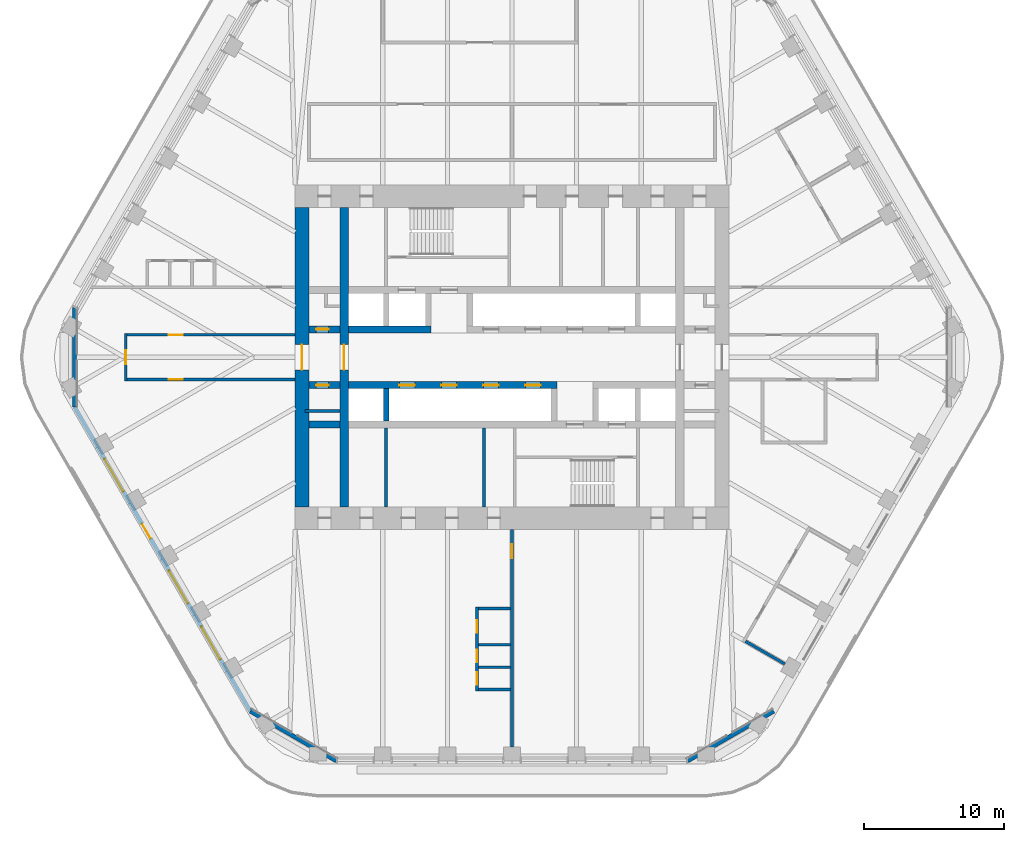
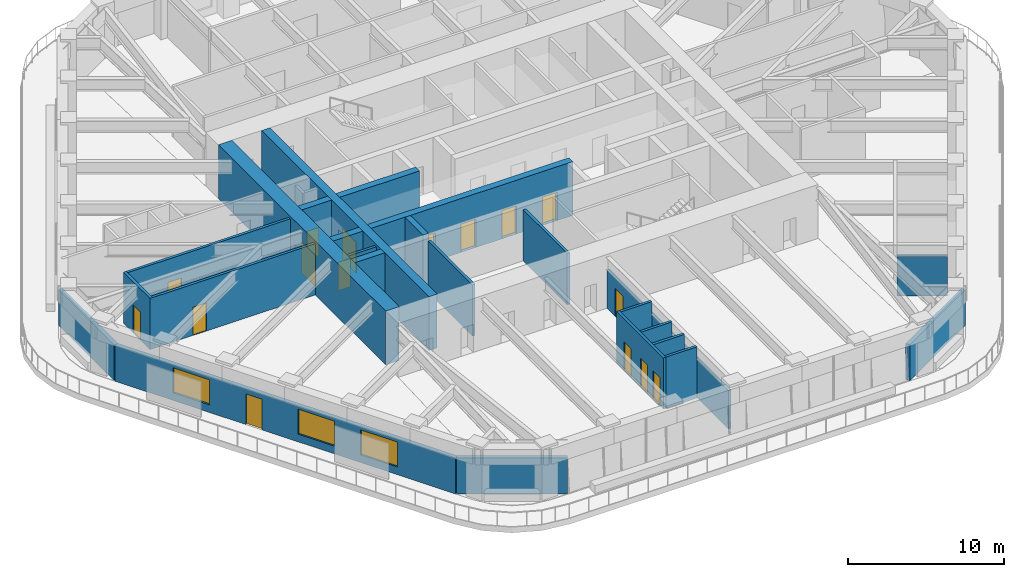
# One storey, part 14 of 20: 25 walls, 16 doors, 3 windows, 19 openings.
"""IFC4 building model written with IfcOpenShell, lengths in metres."""

from ifc_helpers import new_model, si_unit, direction, frame, frame_2d, origin, place, context, subcontext, project, spatial, rectangle, extrude, material, layer, layer_set, type_object, element, fill, save


model = new_model("IFC4")

# Units and contexts
model_context = context("Model", 3, precision=1e-05, world=origin(), true_north=direction((0.0, 1.0)))
body_context = subcontext(model_context, "Body", "Model", "MODEL_VIEW")
ifc_project = project(units=[si_unit("LENGTHUNIT", "METRE"), si_unit("AREAUNIT", "SQUARE_METRE"), si_unit("VOLUMEUNIT", "CUBIC_METRE"), si_unit("PLANEANGLEUNIT", "RADIAN"), si_unit("MASSUNIT", "GRAM", prefix="KILO")], contexts=[model_context])

# Site, building, storey
site_placement = place(None, origin())
site = spatial("IfcSite", under=ifc_project, at=site_placement, CompositionType="ELEMENT")
building_placement = place(site_placement, origin())
building = spatial("IfcBuilding", under=site, at=building_placement, Name="Tarfa Lantern Tower", CompositionType="ELEMENT")
storey_placement = place(building_placement, frame((0.0, 0.0, 270.10009765625)))
storey = spatial("IfcBuildingStorey", under=building, at=storey_placement, Name="L61", CompositionType="ELEMENT", Elevation=270.10009765625)

# Walls
ifc_material_1 = material(Name="Limestone cladding on blockwork", Category="masonry")
ifc_layer_1 = layer(ifc_material_1, 0.300048828125)
ifc_layer_set_1 = layer_set([ifc_layer_1], Name="EW1 STONE-CLAD WALL 300")
wall_type_1 = type_object("IfcWallType", Name="EW1 STONE-CLAD WALL 300", PredefinedType="SOLIDWALL", material=ifc_layer_set_1)
wall_1_placement = place(storey_placement, frame((-31.262939453125, 3.55078125, 0.0), z_axis=(0.0, 0.0, 1.0), x_axis=(0.0, -1.0, 0.0)))
element("IfcWall", 1, at=wall_1_placement, inside=storey, type_object=wall_type_1, Name="Garden wall NW-SW", PredefinedType="SOLIDWALL", context=body_context, shape_type="SweptSolid", body=[
    extrude(rectangle(XDim=7.1015625, YDim=0.300048828125, at=frame_2d((3.55078125, 0.0))), origin(), (0.0, 0.0, 1.0), 2.7998046875),
])
for number, where, z_axis, x_axis, name in (
    (2, (-18.70654296875, -25.299072265625, 0.0), (0.0, 0.0, 1.0), (0.866010973379, -0.500024993363, 0.0), "Garden wall SW-S"),
    (3, (12.556396484375, -28.85009765625, 0.0), (0.0, 0.0, 1.0), (0.866010973379, 0.500024993363, 0.0), "Garden wall S-SE"),
):
    element("IfcWall", number, at=place(storey_placement, frame(where, z_axis=z_axis, x_axis=x_axis)), inside=storey, type_object=wall_type_1, Name=name, PredefinedType="SOLIDWALL", context=body_context, shape_type="SweptSolid", body=[
        extrude(rectangle(XDim=7.101806640625, YDim=0.300048828125, at=frame_2d((3.55078125, 0.0))), origin(), (0.0, 0.0, 1.0), 2.7998046875),
    ])

# Wall, openings, door, windows
wall_2_placement = place(storey_placement, frame((-31.262939453125, -3.55078125, 0.0), z_axis=(0.0, 0.0, 1.0), x_axis=(0.500000442367, -0.866025148383, 0.0)))
wall_2 = element("IfcWall", 4, at=wall_2_placement, inside=storey, type_object=wall_type_1, Name="Stone wall SW", PredefinedType="SOLIDWALL", context=body_context, shape_type="SweptSolid", body=[
    extrude(rectangle(XDim=25.11279296875, YDim=0.300048828125, at=frame_2d((12.556396484375, 0.0))), origin(), (0.0, 0.0, 1.0), 2.7998046875),
])
opening_1_placement = place(wall_2_placement, frame((4.2783203125, 0.0, 0.60009765625)))
opening_1 = element("IfcOpeningElement", 5, at=opening_1_placement, cuts=wall_2, Name="Opening W14", PredefinedType="OPENING", context=body_context, shape_type="SweptSolid", body=[
    extrude(rectangle(XDim=2.699951171875, YDim=1.949951171875, at=frame_2d((1.35009765625, 0.97509765625))), frame((0.0, 0.159912109375, 0.0), z_axis=(0.0, -1.0, 0.0), x_axis=(1.0, 0.0, 0.0)), (0.0, 0.0, 1.0), 0.320068359375),
])
opening_2_placement = place(wall_2_placement, frame((9.64697265625, 0.0, 0.0)))
opening_2 = element("IfcOpeningElement", 6, at=opening_2_placement, cuts=wall_2, Name="Opening D52", PredefinedType="OPENING", context=body_context, shape_type="SweptSolid", body=[
    extrude(rectangle(XDim=1.199951171875, YDim=2.39990234375, at=frame_2d((0.60009765625, 1.199951171875))), frame((0.0, 0.159912109375, 0.0), z_axis=(0.0, -1.0, 0.0), x_axis=(1.0, 0.0, 0.0)), (0.0, 0.0, 1.0), 0.320068359375),
])
opening_3_placement = place(wall_2_placement, frame((13.515869140625, 0.0, 0.60009765625)))
opening_3 = element("IfcOpeningElement", 7, at=opening_3_placement, cuts=wall_2, Name="Opening W14", PredefinedType="OPENING", context=body_context, shape_type="SweptSolid", body=[
    extrude(rectangle(XDim=2.699951171875, YDim=1.949951171875, at=frame_2d((1.35009765625, 0.97509765625))), frame((0.0, 0.159912109375, 0.0), z_axis=(0.0, -1.0, 0.0), x_axis=(1.0, 0.0, 0.0)), (0.0, 0.0, 1.0), 0.320068359375),
])
opening_4_placement = place(wall_2_placement, frame((18.134521484375, 0.0, 0.60009765625)))
opening_4 = element("IfcOpeningElement", 8, at=opening_4_placement, cuts=wall_2, Name="Opening W14", PredefinedType="OPENING", context=body_context, shape_type="SweptSolid", body=[
    extrude(rectangle(XDim=2.699951171875, YDim=1.949951171875, at=frame_2d((1.35009765625, 0.97509765625))), frame((0.0, 0.159912109375, 0.0), z_axis=(0.0, -1.0, 0.0), x_axis=(1.0, 0.0, 0.0)), (0.0, 0.0, 1.0), 0.320068359375),
])
ifc_material_2 = material(Name="Aluminium framed glazed door", Category="aluminium")
door_type_1 = type_object("IfcDoorType", Name="BE3 BALCONY DOOR 1200x2400", OperationType="SINGLE_SWING_RIGHT", PredefinedType="DOOR", material=ifc_material_2)
door_1_placement = place(opening_2_placement, origin())
door_1 = element("IfcDoor", 9, at=door_1_placement, inside=storey, type_object=door_type_1, Name="Balcony door SW", OperationType="SINGLE_SWING_RIGHT", OverallHeight=2.39990234375, OverallWidth=1.199951171875, PredefinedType="DOOR", context=body_context, shape_type="SweptSolid", body=[
    extrude(rectangle(XDim=1.199951171875, YDim=2.39990234375, at=frame_2d((0.60009765625, 1.199951171875))), frame((0.0, 0.02490234375, 0.0), z_axis=(0.0, -1.0, 0.0), x_axis=(1.0, 0.0, 0.0)), (0.0, 0.0, 1.0), 0.050048828125),
])
fill(opening_2, door_1)
ifc_material_3 = material(Name="Aluminium frame, double glazed", Category="aluminium")
window_type = type_object("IfcWindowType", Name="W14 FULL-HEIGHT GLAZING 2700x1950", PartitioningType="SINGLE_PANEL", PredefinedType="WINDOW", material=ifc_material_3)
window_1_placement = place(opening_1_placement, origin())
window_1 = element("IfcWindow", 10, at=window_1_placement, inside=storey, type_object=window_type, Name="Window SW 2", OverallHeight=1.949951171875, OverallWidth=2.699951171875, PartitioningType="SINGLE_PANEL", PredefinedType="WINDOW", context=body_context, shape_type="SweptSolid", body=[
    extrude(rectangle(XDim=2.699951171875, YDim=1.949951171875, at=frame_2d((1.35009765625, 0.97509765625))), frame((0.0, 0.030029296875, 0.0), z_axis=(0.0, -1.0, 0.0), x_axis=(1.0, 0.0, 0.0)), (0.0, 0.0, 1.0), 0.06005859375),
])
fill(opening_1, window_1)
window_2_placement = place(opening_3_placement, origin())
window_2 = element("IfcWindow", 11, at=window_2_placement, inside=storey, type_object=window_type, Name="Window SW 4", OverallHeight=1.949951171875, OverallWidth=2.699951171875, PartitioningType="SINGLE_PANEL", PredefinedType="WINDOW", context=body_context, shape_type="SweptSolid", body=[
    extrude(rectangle(XDim=2.699951171875, YDim=1.949951171875, at=frame_2d((1.35009765625, 0.97509765625))), frame((0.0, 0.030029296875, 0.0), z_axis=(0.0, -1.0, 0.0), x_axis=(1.0, 0.0, 0.0)), (0.0, 0.0, 1.0), 0.06005859375),
])
fill(opening_3, window_2)
window_3_placement = place(opening_4_placement, origin())
window_3 = element("IfcWindow", 12, at=window_3_placement, inside=storey, type_object=window_type, Name="Window SW 5", OverallHeight=1.949951171875, OverallWidth=2.699951171875, PartitioningType="SINGLE_PANEL", PredefinedType="WINDOW", context=body_context, shape_type="SweptSolid", body=[
    extrude(rectangle(XDim=2.699951171875, YDim=1.949951171875, at=frame_2d((1.35009765625, 0.97509765625))), frame((0.0, 0.030029296875, 0.0), z_axis=(0.0, -1.0, 0.0), x_axis=(1.0, 0.0, 0.0)), (0.0, 0.0, 1.0), 0.06005859375),
])
fill(opening_4, window_3)

# Walls
ifc_material_4 = material(Name="Concrete blockwork", Category="masonry")
ifc_layer_2 = layer(ifc_material_4, 0.199951171875)
ifc_layer_set_2 = layer_set([ifc_layer_2], Name="IW1 BLOCKWORK PARTITION 200 EI 120")
wall_type_2 = type_object("IfcWallType", Name="IW1 BLOCKWORK PARTITION 200 EI 120", PredefinedType="PARTITIONING", material=ifc_layer_set_2)
for number, where, z_axis, x_axis, name in (
    (13, (-9.0, -5.050048828125, 0.0), (0.0, 0.0, 1.0), (0.0, -1.0, 0.0), "Core partition"),
    (14, (-2.0, -5.050048828125, 0.0), (0.0, 0.0, 1.0), (0.0, -1.0, 0.0), "Core partition"),
):
    element("IfcWall", number, at=place(storey_placement, frame(where, z_axis=z_axis, x_axis=x_axis)), inside=storey, type_object=wall_type_2, Name=name, PredefinedType="PARTITIONING", context=body_context, shape_type="SweptSolid", body=[
        extrude(rectangle(XDim=5.64990234375, YDim=0.199951171875, at=frame_2d((2.824951171875, 0.0))), origin(), (0.0, 0.0, 1.0), 4.0),
    ])
wall_3_placement = place(storey_placement, frame((-12.300048828125, -3.85009765625, 0.0), z_axis=(0.0, 0.0, 1.0), x_axis=(-1.0, 0.0, 0.0)))
element("IfcWall", 15, at=wall_3_placement, inside=storey, type_object=wall_type_2, Name="Core partition", PredefinedType="PARTITIONING", context=body_context, shape_type="SweptSolid", body=[
    extrude(rectangle(XDim=2.5, YDim=0.199951171875, at=frame_2d((1.25, 0.0))), origin(), (0.0, 0.0, 1.0), 4.0),
])
ifc_material_5 = material(Name="Gypsum board on steel studs", Category="steel")
ifc_layer_3 = layer(ifc_material_5, 0.2099609375)
ifc_layer_set_3 = layer_set([ifc_layer_3], Name="IW2 ACOUSTIC PARTITION 200")
wall_type_3 = type_object("IfcWallType", Name="IW2 ACOUSTIC PARTITION 200", PredefinedType="PARTITIONING", material=ifc_layer_set_3)
wall_4_placement = place(storey_placement, frame((16.685302734375, -20.300048828125, 0.0), z_axis=(0.0, 0.0, 1.0), x_axis=(0.866034226713, -0.499984717929, 0.0)))
element("IfcWall", 16, at=wall_4_placement, inside=storey, type_object=wall_type_3, Name="Partition", PredefinedType="PARTITIONING", context=body_context, shape_type="SweptSolid", body=[
    extrude(rectangle(XDim=3.25, YDim=0.199951171875, at=frame_2d((1.625, 0.0))), origin(), (0.0, 0.0, 1.0), 3.08154296875),
])

# Wall, opening, door
wall_5_placement = place(storey_placement, frame((-15.5, 1.60009765625, 0.0), z_axis=(0.0, 0.0, 1.0), x_axis=(-1.0, 0.0, 0.0)))
wall_5 = element("IfcWall", 17, at=wall_5_placement, inside=storey, type_object=wall_type_3, Name="Partition", PredefinedType="PARTITIONING", context=body_context, shape_type="SweptSolid", body=[
    extrude(rectangle(XDim=12.199951171875, YDim=0.199951171875, at=frame_2d((6.10009765625, 0.0))), origin(), (0.0, 0.0, 1.0), 4.0),
])
opening_5_placement = place(wall_5_placement, frame((8.0400390625, 0.0, 0.0)))
opening_5 = element("IfcOpeningElement", 18, at=opening_5_placement, cuts=wall_5, Name="Opening D45", PredefinedType="OPENING", context=body_context, shape_type="SweptSolid", body=[
    extrude(rectangle(XDim=1.0, YDim=2.199951171875, at=frame_2d((0.5, 1.10009765625))), frame((0.0, 0.10986328125, 0.0), z_axis=(0.0, -1.0, 0.0), x_axis=(1.0, 0.0, 0.0)), (0.0, 0.0, 1.0), 0.219970703125),
])
ifc_material_6 = material(Name="Timber door", Category="wood")
door_type_2 = type_object("IfcDoorType", Name="DR1 ROOM DOOR 1000x2200", OperationType="SINGLE_SWING_LEFT", PredefinedType="DOOR", material=ifc_material_6)
door_2_placement = place(opening_5_placement, frame((1.0, 0.0, 0.0), z_axis=(0.0, 0.0, 1.0), x_axis=(-1.0, 0.0, 0.0)))
door_2 = element("IfcDoor", 19, at=door_2_placement, inside=storey, type_object=door_type_2, Name="Corridor door", OperationType="SINGLE_SWING_RIGHT", OverallHeight=2.199951171875, OverallWidth=1.0, PredefinedType="DOOR", context=body_context, shape_type="SweptSolid", body=[
    extrude(rectangle(XDim=1.0, YDim=2.199951171875, at=frame_2d((0.5, 1.10009765625))), frame((0.0, 0.02490234375, 0.0), z_axis=(0.0, -1.0, 0.0), x_axis=(1.0, 0.0, 0.0)), (0.0, 0.0, 1.0), 0.050048828125),
])
fill(opening_5, door_2)

wall_6_placement = place(storey_placement, frame((-15.5, -1.60009765625, 0.0), z_axis=(0.0, 0.0, 1.0), x_axis=(-1.0, 0.0, 0.0)))
wall_6 = element("IfcWall", 20, at=wall_6_placement, inside=storey, type_object=wall_type_3, Name="Partition", PredefinedType="PARTITIONING", context=body_context, shape_type="SweptSolid", body=[
    extrude(rectangle(XDim=12.199951171875, YDim=0.199951171875, at=frame_2d((6.10009765625, 0.0))), origin(), (0.0, 0.0, 1.0), 4.0),
])
opening_6_placement = place(wall_6_placement, frame((8.0400390625, 0.0, 0.0)))
opening_6 = element("IfcOpeningElement", 21, at=opening_6_placement, cuts=wall_6, Name="Opening D46", PredefinedType="OPENING", context=body_context, shape_type="SweptSolid", body=[
    extrude(rectangle(XDim=1.0, YDim=2.199951171875, at=frame_2d((0.5, 1.10009765625))), frame((0.0, 0.10986328125, 0.0), z_axis=(0.0, -1.0, 0.0), x_axis=(1.0, 0.0, 0.0)), (0.0, 0.0, 1.0), 0.219970703125),
])
door_3_placement = place(opening_6_placement, origin())
door_3 = element("IfcDoor", 22, at=door_3_placement, inside=storey, type_object=door_type_2, Name="Corridor door", OperationType="SINGLE_SWING_LEFT", OverallHeight=2.199951171875, OverallWidth=1.0, PredefinedType="DOOR", context=body_context, shape_type="SweptSolid", body=[
    extrude(rectangle(XDim=1.0, YDim=2.199951171875, at=frame_2d((0.5, 1.10009765625))), frame((0.0, 0.02490234375, 0.0), z_axis=(0.0, -1.0, 0.0), x_axis=(1.0, 0.0, 0.0)), (0.0, 0.0, 1.0), 0.050048828125),
])
fill(opening_6, door_3)

wall_7_placement = place(storey_placement, frame((-27.60009765625, -1.699951171875, 0.0), z_axis=(0.0, 0.0, 1.0), x_axis=(0.0, 1.0, 0.0)))
wall_7 = element("IfcWall", 23, at=wall_7_placement, inside=storey, type_object=wall_type_3, Name="Partition", PredefinedType="PARTITIONING", context=body_context, shape_type="SweptSolid", body=[
    extrude(rectangle(XDim=3.39990234375, YDim=0.199951171875, at=frame_2d((1.699951171875, 0.0))), origin(), (0.0, 0.0, 1.0), 4.0),
])
opening_7_placement = place(wall_7_placement, frame((1.199951171875, 0.0, 0.0)))
opening_7 = element("IfcOpeningElement", 24, at=opening_7_placement, cuts=wall_7, Name="Opening D44", PredefinedType="OPENING", context=body_context, shape_type="SweptSolid", body=[
    extrude(rectangle(XDim=1.0, YDim=2.199951171875, at=frame_2d((0.5, 1.10009765625))), frame((0.0, 0.10986328125, 0.0), z_axis=(0.0, -1.0, 0.0), x_axis=(1.0, 0.0, 0.0)), (0.0, 0.0, 1.0), 0.219970703125),
])
door_4_placement = place(opening_7_placement, origin())
door_4 = element("IfcDoor", 25, at=door_4_placement, inside=storey, type_object=door_type_2, Name="Corridor door", OperationType="SINGLE_SWING_RIGHT", OverallHeight=2.199951171875, OverallWidth=1.0, PredefinedType="DOOR", context=body_context, shape_type="SweptSolid", body=[
    extrude(rectangle(XDim=1.0, YDim=2.199951171875, at=frame_2d((0.5, 1.10009765625))), frame((0.0, 0.02490234375, 0.0), z_axis=(0.0, -1.0, 0.0), x_axis=(1.0, 0.0, 0.0)), (0.0, 0.0, 1.0), 0.050048828125),
])
fill(opening_7, door_4)

wall_8_placement = place(storey_placement, frame((0.0, -12.300048828125, 0.0), z_axis=(0.0, 0.0, 1.0), x_axis=(0.0, -1.0, 0.0)))
wall_8 = element("IfcWall", 26, at=wall_8_placement, inside=storey, type_object=wall_type_3, Name="Partition", PredefinedType="PARTITIONING", context=body_context, shape_type="SweptSolid", body=[
    extrude(rectangle(XDim=15.550048828125, YDim=0.199951171875, at=frame_2d((7.77490234375, 0.0))), origin(), (0.0, 0.0, 1.0), 2.99169921875),
])
opening_8_placement = place(wall_8_placement, frame((1.054931640625, 0.0, 0.0)))
opening_8 = element("IfcOpeningElement", 27, at=opening_8_placement, cuts=wall_8, Name="Opening D48", PredefinedType="OPENING", context=body_context, shape_type="SweptSolid", body=[
    extrude(rectangle(XDim=1.0, YDim=2.199951171875, at=frame_2d((0.5, 1.10009765625))), frame((0.0, 0.10986328125, 0.0), z_axis=(0.0, -1.0, 0.0), x_axis=(1.0, 0.0, 0.0)), (0.0, 0.0, 1.0), 0.219970703125),
])
door_5_placement = place(opening_8_placement, origin())
door_5 = element("IfcDoor", 28, at=door_5_placement, inside=storey, type_object=door_type_2, Name="Zone door", OperationType="SINGLE_SWING_RIGHT", OverallHeight=2.199951171875, OverallWidth=1.0, PredefinedType="DOOR", context=body_context, shape_type="SweptSolid", body=[
    extrude(rectangle(XDim=1.0, YDim=2.199951171875, at=frame_2d((0.5, 1.10009765625))), frame((0.0, 0.02490234375, 0.0), z_axis=(0.0, -1.0, 0.0), x_axis=(1.0, 0.0, 0.0)), (0.0, 0.0, 1.0), 0.050048828125),
])
fill(opening_8, door_5)

# Wall, openings, doors
wall_9_placement = place(storey_placement, frame((-2.5, -17.8525390625, 0.0), z_axis=(0.0, 0.0, 1.0), x_axis=(0.0, -1.0, 0.0)))
wall_9 = element("IfcWall", 29, at=wall_9_placement, inside=storey, type_object=wall_type_3, Name="Partition", PredefinedType="PARTITIONING", context=body_context, shape_type="SweptSolid", body=[
    extrude(rectangle(XDim=6.0, YDim=0.199951171875, at=frame_2d((3.0, 0.0))), origin(), (0.0, 0.0, 1.0), 4.0),
])
opening_9_placement = place(wall_9_placement, frame((0.949951171875, 0.0, 0.0)))
opening_9 = element("IfcOpeningElement", 30, at=opening_9_placement, cuts=wall_9, Name="Opening D35", PredefinedType="OPENING", context=body_context, shape_type="SweptSolid", body=[
    extrude(rectangle(XDim=0.89990234375, YDim=2.199951171875, at=frame_2d((0.449951171875, 1.10009765625))), frame((0.0, 0.10986328125, 0.0), z_axis=(0.0, -1.0, 0.0), x_axis=(1.0, 0.0, 0.0)), (0.0, 0.0, 1.0), 0.219970703125),
])
opening_10_placement = place(wall_9_placement, frame((3.050048828125, 0.0, 0.0)))
opening_10 = element("IfcOpeningElement", 31, at=opening_10_placement, cuts=wall_9, Name="Opening D36", PredefinedType="OPENING", context=body_context, shape_type="SweptSolid", body=[
    extrude(rectangle(XDim=0.89990234375, YDim=2.199951171875, at=frame_2d((0.449951171875, 1.10009765625))), frame((0.0, 0.10986328125, 0.0), z_axis=(0.0, -1.0, 0.0), x_axis=(1.0, 0.0, 0.0)), (0.0, 0.0, 1.0), 0.219970703125),
])
opening_11_placement = place(wall_9_placement, frame((4.64990234375, 0.0, 0.0)))
opening_11 = element("IfcOpeningElement", 32, at=opening_11_placement, cuts=wall_9, Name="Opening D37", PredefinedType="OPENING", context=body_context, shape_type="SweptSolid", body=[
    extrude(rectangle(XDim=0.89990234375, YDim=2.199951171875, at=frame_2d((0.449951171875, 1.10009765625))), frame((0.0, 0.10986328125, 0.0), z_axis=(0.0, -1.0, 0.0), x_axis=(1.0, 0.0, 0.0)), (0.0, 0.0, 1.0), 0.219970703125),
])
door_type_3 = type_object("IfcDoorType", Name="DR3 ROOM DOOR 900x2200", OperationType="SINGLE_SWING_LEFT", PredefinedType="DOOR", material=ifc_material_6)
door_6_placement = place(opening_9_placement, origin())
door_6 = element("IfcDoor", 33, at=door_6_placement, inside=storey, type_object=door_type_3, Name="Print and copy room door", OperationType="SINGLE_SWING_RIGHT", OverallHeight=2.199951171875, OverallWidth=0.89990234375, PredefinedType="DOOR", context=body_context, shape_type="SweptSolid", body=[
    extrude(rectangle(XDim=0.89990234375, YDim=2.199951171875, at=frame_2d((0.449951171875, 1.10009765625))), frame((0.0, 0.02490234375, 0.0), z_axis=(0.0, -1.0, 0.0), x_axis=(1.0, 0.0, 0.0)), (0.0, 0.0, 1.0), 0.050048828125),
])
fill(opening_9, door_6)
door_7_placement = place(opening_10_placement, origin())
door_7 = element("IfcDoor", 34, at=door_7_placement, inside=storey, type_object=door_type_3, Name="Phone booth door", OperationType="SINGLE_SWING_LEFT", OverallHeight=2.199951171875, OverallWidth=0.89990234375, PredefinedType="DOOR", context=body_context, shape_type="SweptSolid", body=[
    extrude(rectangle(XDim=0.89990234375, YDim=2.199951171875, at=frame_2d((0.449951171875, 1.10009765625))), frame((0.0, 0.02490234375, 0.0), z_axis=(0.0, -1.0, 0.0), x_axis=(1.0, 0.0, 0.0)), (0.0, 0.0, 1.0), 0.050048828125),
])
fill(opening_10, door_7)
door_8_placement = place(opening_11_placement, origin())
door_8 = element("IfcDoor", 35, at=door_8_placement, inside=storey, type_object=door_type_3, Name="Phone booth door", OperationType="SINGLE_SWING_LEFT", OverallHeight=2.199951171875, OverallWidth=0.89990234375, PredefinedType="DOOR", context=body_context, shape_type="SweptSolid", body=[
    extrude(rectangle(XDim=0.89990234375, YDim=2.199951171875, at=frame_2d((0.449951171875, 1.10009765625))), frame((0.0, 0.02490234375, 0.0), z_axis=(0.0, -1.0, 0.0), x_axis=(1.0, 0.0, 0.0)), (0.0, 0.0, 1.0), 0.050048828125),
])
fill(opening_11, door_8)

# Walls
for number, where, z_axis, x_axis, name in (
    (36, (-0.10009765625, -17.952392578125, 0.0), (0.0, 0.0, 1.0), (-1.0, 0.0, 0.0), "Partition"),
    (37, (-0.10009765625, -20.552490234375, 0.0), (0.0, 0.0, 1.0), (-1.0, 0.0, 0.0), "Partition"),
    (38, (-0.10009765625, -22.152587890625, 0.0), (0.0, 0.0, 1.0), (-1.0, 0.0, 0.0), "Partition"),
    (39, (-0.10009765625, -23.75244140625, 0.0), (0.0, 0.0, 1.0), (-1.0, 0.0, 0.0), "Partition"),
):
    element("IfcWall", number, at=place(storey_placement, frame(where, z_axis=z_axis, x_axis=x_axis)), inside=storey, type_object=wall_type_3, Name=name, PredefinedType="PARTITIONING", context=body_context, shape_type="SweptSolid", body=[
        extrude(rectangle(XDim=2.2998046875, YDim=0.199951171875, at=frame_2d((1.14990234375, 0.0))), origin(), (0.0, 0.0, 1.0), 4.0),
    ])

# Wall, opening, door
ifc_material_7 = material(Name="Concrete C80/95", Category="concrete")
ifc_layer_4 = layer(ifc_material_7, 1.0)
ifc_layer_set_4 = layer_set([ifc_layer_4], Name="SW2 CORE WALL 1000")
wall_type_4 = type_object("IfcWallType", Name="SW2 CORE WALL 1000", PredefinedType="SHEAR", material=ifc_layer_set_4)
wall_10_placement = place(storey_placement, frame((-15.0, 10.699951171875, 0.0), z_axis=(0.0, 0.0, 1.0), x_axis=(0.0, -1.0, 0.0)))
wall_10 = element("IfcWall", 40, at=wall_10_placement, inside=storey, type_object=wall_type_4, Name="Core wall W", PredefinedType="SHEAR", context=body_context, shape_type="SweptSolid", body=[
    extrude(rectangle(XDim=21.39990234375, YDim=1.0, at=frame_2d((10.699951171875, 0.0))), origin(), (0.0, 0.0, 1.0), 4.199951171875),
])
opening_12_placement = place(wall_10_placement, frame((9.800048828125, 0.0, 0.0)))
opening_12 = element("IfcOpeningElement", 41, at=opening_12_placement, cuts=wall_10, Name="Opening D12", PredefinedType="OPENING", context=body_context, shape_type="SweptSolid", body=[
    extrude(rectangle(XDim=1.800048828125, YDim=2.39990234375, at=frame_2d((0.89990234375, 1.199951171875))), frame((0.0, 0.510009765625, 0.0), z_axis=(0.0, -1.0, 0.0), x_axis=(1.0, 0.0, 0.0)), (0.0, 0.0, 1.0), 1.02001953125),
])
ifc_material_8 = material(Name="Steel fire door", Category="steel")
door_type_4 = type_object("IfcDoorType", Name="DL1 LOBBY DOOR 1800x2400", OperationType="DOUBLE_DOOR_SINGLE_SWING", PredefinedType="DOOR", material=ifc_material_8)
door_9_placement = place(opening_12_placement, frame((1.800048828125, 0.0, 0.0), z_axis=(0.0, 0.0, 1.0), x_axis=(-1.0, 0.0, 0.0)))
door_9 = element("IfcDoor", 42, at=door_9_placement, inside=storey, type_object=door_type_4, Name="Lift lobby door", OperationType="DOUBLE_DOOR_SINGLE_SWING", OverallHeight=2.39990234375, OverallWidth=1.800048828125, PredefinedType="DOOR", context=body_context, shape_type="SweptSolid", body=[
    extrude(rectangle(XDim=1.800048828125, YDim=2.39990234375, at=frame_2d((0.89990234375, 1.199951171875))), frame((0.0, 0.02490234375, 0.0), z_axis=(0.0, -1.0, 0.0), x_axis=(1.0, 0.0, 0.0)), (0.0, 0.0, 1.0), 0.050048828125),
])
fill(opening_12, door_9)

ifc_layer_5 = layer(ifc_material_7, 0.5)
ifc_layer_set_5 = layer_set([ifc_layer_5], Name="SW5 CORE WALL 500")
wall_type_5 = type_object("IfcWallType", Name="SW5 CORE WALL 500", PredefinedType="SHEAR", material=ifc_layer_set_5)
wall_11_placement = place(storey_placement, frame((-14.5, 2.0, 0.0), z_axis=(0.0, 0.0, 1.0), x_axis=(1.0, 0.0, 0.0)))
wall_11 = element("IfcWall", 43, at=wall_11_placement, inside=storey, type_object=wall_type_5, Name="Core wall lobby west N", PredefinedType="SHEAR", context=body_context, shape_type="SweptSolid", body=[
    extrude(rectangle(XDim=2.199951171875, YDim=0.5, at=frame_2d((1.10009765625, 0.0))), origin(), (0.0, 0.0, 1.0), 4.199951171875),
])
opening_13_placement = place(wall_11_placement, frame((0.5, 0.0, 0.0)))
opening_13 = element("IfcOpeningElement", 44, at=opening_13_placement, cuts=wall_11, Name="Opening D15", PredefinedType="OPENING", context=body_context, shape_type="SweptSolid", body=[
    extrude(rectangle(XDim=0.89990234375, YDim=2.199951171875, at=frame_2d((0.449951171875, 1.10009765625))), frame((0.0, 0.260009765625, 0.0), z_axis=(0.0, -1.0, 0.0), x_axis=(1.0, 0.0, 0.0)), (0.0, 0.0, 1.0), 0.52001953125),
])
door_type_5 = type_object("IfcDoorType", Name="DF6 SERVICE ROOM DOOR 900x2200", OperationType="SINGLE_SWING_LEFT", PredefinedType="DOOR", material=ifc_material_8)
door_10_placement = place(opening_13_placement, origin())
door_10 = element("IfcDoor", 45, at=door_10_placement, inside=storey, type_object=door_type_5, Name="Service room door", OperationType="SINGLE_SWING_RIGHT", OverallHeight=2.199951171875, OverallWidth=0.89990234375, PredefinedType="DOOR", context=body_context, shape_type="SweptSolid", body=[
    extrude(rectangle(XDim=0.89990234375, YDim=2.199951171875, at=frame_2d((0.449951171875, 1.10009765625))), frame((0.0, 0.02490234375, 0.0), z_axis=(0.0, -1.0, 0.0), x_axis=(1.0, 0.0, 0.0)), (0.0, 0.0, 1.0), 0.050048828125),
])
fill(opening_13, door_10)

# Wall
wall_12_placement = place(storey_placement, frame((-11.699951171875, 2.0, 0.0), z_axis=(0.0, 0.0, 1.0), x_axis=(1.0, 0.0, 0.0)))
element("IfcWall", 46, at=wall_12_placement, inside=storey, type_object=wall_type_5, Name="Core wall lobby west N", PredefinedType="SHEAR", context=body_context, shape_type="SweptSolid", body=[
    extrude(rectangle(XDim=5.89990234375, YDim=0.5, at=frame_2d((2.949951171875, 0.0))), origin(), (0.0, 0.0, 1.0), 4.199951171875),
])

# Wall, openings, doors
wall_13_placement = place(storey_placement, frame((3.199951171875, -2.0, 0.0), z_axis=(0.0, 0.0, 1.0), x_axis=(-1.0, 0.0, 0.0)))
wall_13 = element("IfcWall", 47, at=wall_13_placement, inside=storey, type_object=wall_type_5, Name="Core wall lobby east S", PredefinedType="SHEAR", context=body_context, shape_type="SweptSolid", body=[
    extrude(rectangle(XDim=14.89990234375, YDim=0.5, at=frame_2d((7.449951171875, 0.0))), origin(), (0.0, 0.0, 1.0), 4.199951171875),
])
opening_14_placement = place(wall_13_placement, frame((1.14990234375, 0.0, 0.0)))
opening_14 = element("IfcOpeningElement", 48, at=opening_14_placement, cuts=wall_13, Name="Opening LD07", PredefinedType="OPENING", context=body_context, shape_type="SweptSolid", body=[
    extrude(rectangle(XDim=1.10009765625, YDim=2.199951171875, at=frame_2d((0.550048828125, 1.10009765625))), frame((0.0, 0.260009765625, 0.0), z_axis=(0.0, -1.0, 0.0), x_axis=(1.0, 0.0, 0.0)), (0.0, 0.0, 1.0), 0.52001953125),
])
opening_15_placement = place(wall_13_placement, frame((4.14990234375, 0.0, 0.0)))
opening_15 = element("IfcOpeningElement", 49, at=opening_15_placement, cuts=wall_13, Name="Opening LD08", PredefinedType="OPENING", context=body_context, shape_type="SweptSolid", body=[
    extrude(rectangle(XDim=1.10009765625, YDim=2.199951171875, at=frame_2d((0.550048828125, 1.10009765625))), frame((0.0, 0.260009765625, 0.0), z_axis=(0.0, -1.0, 0.0), x_axis=(1.0, 0.0, 0.0)), (0.0, 0.0, 1.0), 0.52001953125),
])
opening_16_placement = place(wall_13_placement, frame((7.14990234375, 0.0, 0.0)))
opening_16 = element("IfcOpeningElement", 50, at=opening_16_placement, cuts=wall_13, Name="Opening LD09", PredefinedType="OPENING", context=body_context, shape_type="SweptSolid", body=[
    extrude(rectangle(XDim=1.10009765625, YDim=2.199951171875, at=frame_2d((0.550048828125, 1.10009765625))), frame((0.0, 0.260009765625, 0.0), z_axis=(0.0, -1.0, 0.0), x_axis=(1.0, 0.0, 0.0)), (0.0, 0.0, 1.0), 0.52001953125),
])
opening_17_placement = place(wall_13_placement, frame((10.14990234375, 0.0, 0.0)))
opening_17 = element("IfcOpeningElement", 51, at=opening_17_placement, cuts=wall_13, Name="Opening LD10", PredefinedType="OPENING", context=body_context, shape_type="SweptSolid", body=[
    extrude(rectangle(XDim=1.10009765625, YDim=2.199951171875, at=frame_2d((0.550048828125, 1.10009765625))), frame((0.0, 0.260009765625, 0.0), z_axis=(0.0, -1.0, 0.0), x_axis=(1.0, 0.0, 0.0)), (0.0, 0.0, 1.0), 0.52001953125),
])
ifc_material_9 = material(Name="Stainless steel lift door", Category="steel")
door_type_6 = type_object("IfcDoorType", Name="LD2 LIFT LANDING DOOR 1100x2200", OperationType="SLIDING_TO_LEFT", PredefinedType="DOOR", material=ifc_material_9)
door_11_placement = place(opening_14_placement, frame((1.10009765625, 0.0, 0.0), z_axis=(0.0, 0.0, 1.0), x_axis=(-1.0, 0.0, 0.0)))
door_11 = element("IfcDoor", 52, at=door_11_placement, inside=storey, type_object=door_type_6, Name="Landing door PC5", OperationType="SLIDING_TO_LEFT", OverallHeight=2.199951171875, OverallWidth=1.10009765625, PredefinedType="DOOR", context=body_context, shape_type="SweptSolid", body=[
    extrude(rectangle(XDim=1.10009765625, YDim=2.199951171875, at=frame_2d((0.550048828125, 1.10009765625))), frame((0.0, 0.02490234375, 0.0), z_axis=(0.0, -1.0, 0.0), x_axis=(1.0, 0.0, 0.0)), (0.0, 0.0, 1.0), 0.050048828125),
])
fill(opening_14, door_11)
door_12_placement = place(opening_15_placement, frame((1.10009765625, 0.0, 0.0), z_axis=(0.0, 0.0, 1.0), x_axis=(-1.0, 0.0, 0.0)))
door_12 = element("IfcDoor", 53, at=door_12_placement, inside=storey, type_object=door_type_6, Name="Landing door PC6", OperationType="SLIDING_TO_LEFT", OverallHeight=2.199951171875, OverallWidth=1.10009765625, PredefinedType="DOOR", context=body_context, shape_type="SweptSolid", body=[
    extrude(rectangle(XDim=1.10009765625, YDim=2.199951171875, at=frame_2d((0.550048828125, 1.10009765625))), frame((0.0, 0.02490234375, 0.0), z_axis=(0.0, -1.0, 0.0), x_axis=(1.0, 0.0, 0.0)), (0.0, 0.0, 1.0), 0.050048828125),
])
fill(opening_15, door_12)
door_13_placement = place(opening_16_placement, frame((1.10009765625, 0.0, 0.0), z_axis=(0.0, 0.0, 1.0), x_axis=(-1.0, 0.0, 0.0)))
door_13 = element("IfcDoor", 54, at=door_13_placement, inside=storey, type_object=door_type_6, Name="Landing door PC7", OperationType="SLIDING_TO_LEFT", OverallHeight=2.199951171875, OverallWidth=1.10009765625, PredefinedType="DOOR", context=body_context, shape_type="SweptSolid", body=[
    extrude(rectangle(XDim=1.10009765625, YDim=2.199951171875, at=frame_2d((0.550048828125, 1.10009765625))), frame((0.0, 0.02490234375, 0.0), z_axis=(0.0, -1.0, 0.0), x_axis=(1.0, 0.0, 0.0)), (0.0, 0.0, 1.0), 0.050048828125),
])
fill(opening_16, door_13)
door_14_placement = place(opening_17_placement, frame((1.10009765625, 0.0, 0.0), z_axis=(0.0, 0.0, 1.0), x_axis=(-1.0, 0.0, 0.0)))
door_14 = element("IfcDoor", 55, at=door_14_placement, inside=storey, type_object=door_type_6, Name="Landing door PC8", OperationType="SLIDING_TO_LEFT", OverallHeight=2.199951171875, OverallWidth=1.10009765625, PredefinedType="DOOR", context=body_context, shape_type="SweptSolid", body=[
    extrude(rectangle(XDim=1.10009765625, YDim=2.199951171875, at=frame_2d((0.550048828125, 1.10009765625))), frame((0.0, 0.02490234375, 0.0), z_axis=(0.0, -1.0, 0.0), x_axis=(1.0, 0.0, 0.0)), (0.0, 0.0, 1.0), 0.050048828125),
])
fill(opening_17, door_14)

# Wall, opening, door
wall_14_placement = place(storey_placement, frame((-12.300048828125, -2.0, 0.0), z_axis=(0.0, 0.0, 1.0), x_axis=(-1.0, 0.0, 0.0)))
wall_14 = element("IfcWall", 56, at=wall_14_placement, inside=storey, type_object=wall_type_5, Name="Core wall lobby east S", PredefinedType="SHEAR", context=body_context, shape_type="SweptSolid", body=[
    extrude(rectangle(XDim=2.199951171875, YDim=0.5, at=frame_2d((1.10009765625, 0.0))), origin(), (0.0, 0.0, 1.0), 4.199951171875),
])
opening_18_placement = place(wall_14_placement, frame((0.800048828125, 0.0, 0.0)))
opening_18 = element("IfcOpeningElement", 57, at=opening_18_placement, cuts=wall_14, Name="Opening D14", PredefinedType="OPENING", context=body_context, shape_type="SweptSolid", body=[
    extrude(rectangle(XDim=0.89990234375, YDim=2.199951171875, at=frame_2d((0.449951171875, 1.10009765625))), frame((0.0, 0.260009765625, 0.0), z_axis=(0.0, -1.0, 0.0), x_axis=(1.0, 0.0, 0.0)), (0.0, 0.0, 1.0), 0.52001953125),
])
door_15_placement = place(opening_18_placement, origin())
door_15 = element("IfcDoor", 58, at=door_15_placement, inside=storey, type_object=door_type_5, Name="Service room door", OperationType="SINGLE_SWING_LEFT", OverallHeight=2.199951171875, OverallWidth=0.89990234375, PredefinedType="DOOR", context=body_context, shape_type="SweptSolid", body=[
    extrude(rectangle(XDim=0.89990234375, YDim=2.199951171875, at=frame_2d((0.449951171875, 1.10009765625))), frame((0.0, 0.02490234375, 0.0), z_axis=(0.0, -1.0, 0.0), x_axis=(1.0, 0.0, 0.0)), (0.0, 0.0, 1.0), 0.050048828125),
])
fill(opening_18, door_15)

# Walls
wall_15_placement = place(storey_placement, frame((-12.300048828125, -4.800048828125, 0.0), z_axis=(0.0, 0.0, 1.0), x_axis=(-1.0, 0.0, 0.0)))
element("IfcWall", 59, at=wall_15_placement, inside=storey, type_object=wall_type_5, Name="Core wall rear S", PredefinedType="SHEAR", context=body_context, shape_type="SweptSolid", body=[
    extrude(rectangle(XDim=2.199951171875, YDim=0.5, at=frame_2d((1.10009765625, 0.0))), origin(), (0.0, 0.0, 1.0), 4.199951171875),
])
ifc_layer_6 = layer(ifc_material_7, 0.39990234375)
ifc_layer_set_6 = layer_set([ifc_layer_6], Name="SW6 CORE WALL 400")
wall_type_6 = type_object("IfcWallType", Name="SW6 CORE WALL 400", PredefinedType="SHEAR", material=ifc_layer_set_6)
wall_16_placement = place(storey_placement, frame((-9.0, -2.25, 0.0), z_axis=(0.0, 0.0, 1.0), x_axis=(0.0, -1.0, 0.0)))
element("IfcWall", 60, at=wall_16_placement, inside=storey, type_object=wall_type_6, Name="Core wall divider S", PredefinedType="SHEAR", context=body_context, shape_type="SweptSolid", body=[
    extrude(rectangle(XDim=2.300048828125, YDim=0.39990234375, at=frame_2d((1.14990234375, 0.0))), origin(), (0.0, 0.0, 1.0), 4.199951171875),
])

# Wall, opening, door
ifc_layer_7 = layer(ifc_material_7, 0.60009765625)
ifc_layer_set_7 = layer_set([ifc_layer_7], Name="SW9 CORE WALL 600")
wall_type_7 = type_object("IfcWallType", Name="SW9 CORE WALL 600", PredefinedType="SHEAR", material=ifc_layer_set_7)
wall_17_placement = place(storey_placement, frame((-12.0, -10.699951171875, 0.0), z_axis=(0.0, 0.0, 1.0), x_axis=(0.0, 1.0, 0.0)))
wall_17 = element("IfcWall", 61, at=wall_17_placement, inside=storey, type_object=wall_type_7, Name="Core wall cross 12 m west", PredefinedType="SHEAR", context=body_context, shape_type="SweptSolid", body=[
    extrude(rectangle(XDim=21.39990234375, YDim=0.60009765625, at=frame_2d((10.699951171875, 0.0))), origin(), (0.0, 0.0, 1.0), 4.199951171875),
])
opening_19_placement = place(wall_17_placement, frame((9.800048828125, 0.0, 0.0)))
opening_19 = element("IfcOpeningElement", 62, at=opening_19_placement, cuts=wall_17, Name="Opening D26", PredefinedType="OPENING", context=body_context, shape_type="SweptSolid", body=[
    extrude(rectangle(XDim=1.800048828125, YDim=2.39990234375, at=frame_2d((0.89990234375, 1.199951171875))), frame((0.0, 0.31005859375, 0.0), z_axis=(0.0, -1.0, 0.0), x_axis=(1.0, 0.0, 0.0)), (0.0, 0.0, 1.0), 0.6201171875),
])
door_16_placement = place(opening_19_placement, origin())
door_16 = element("IfcDoor", 63, at=door_16_placement, inside=storey, type_object=door_type_4, Name="Lift lobby door", OperationType="DOUBLE_DOOR_SINGLE_SWING", OverallHeight=2.39990234375, OverallWidth=1.800048828125, PredefinedType="DOOR", context=body_context, shape_type="SweptSolid", body=[
    extrude(rectangle(XDim=1.800048828125, YDim=2.39990234375, at=frame_2d((0.89990234375, 1.199951171875))), frame((0.0, 0.02490234375, 0.0), z_axis=(0.0, -1.0, 0.0), x_axis=(1.0, 0.0, 0.0)), (0.0, 0.0, 1.0), 0.050048828125),
])
fill(opening_19, door_16)

save(model, "model.ifc")
